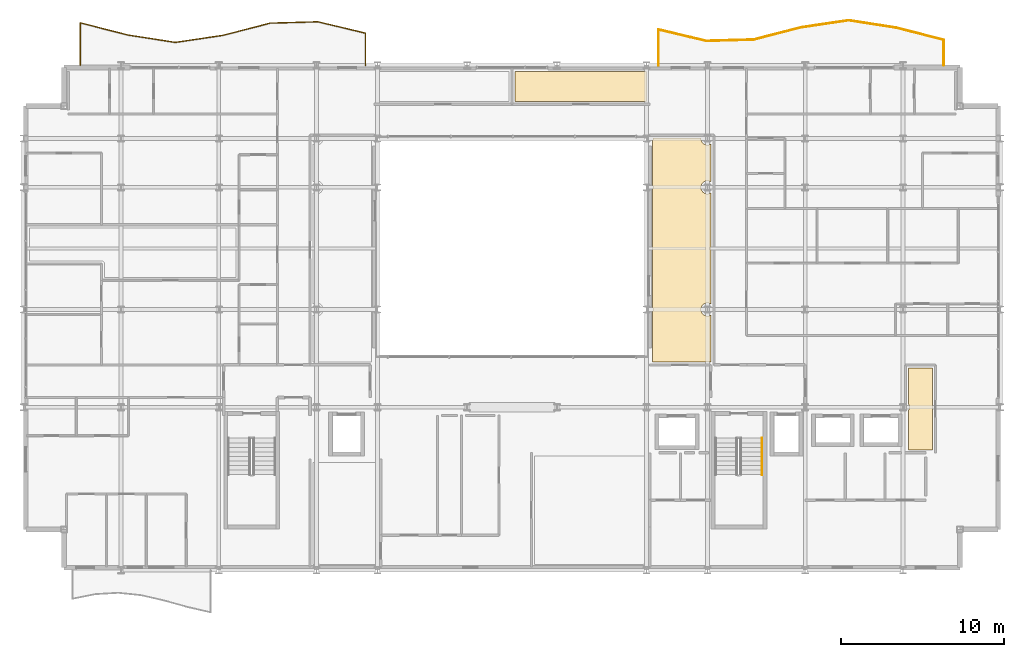
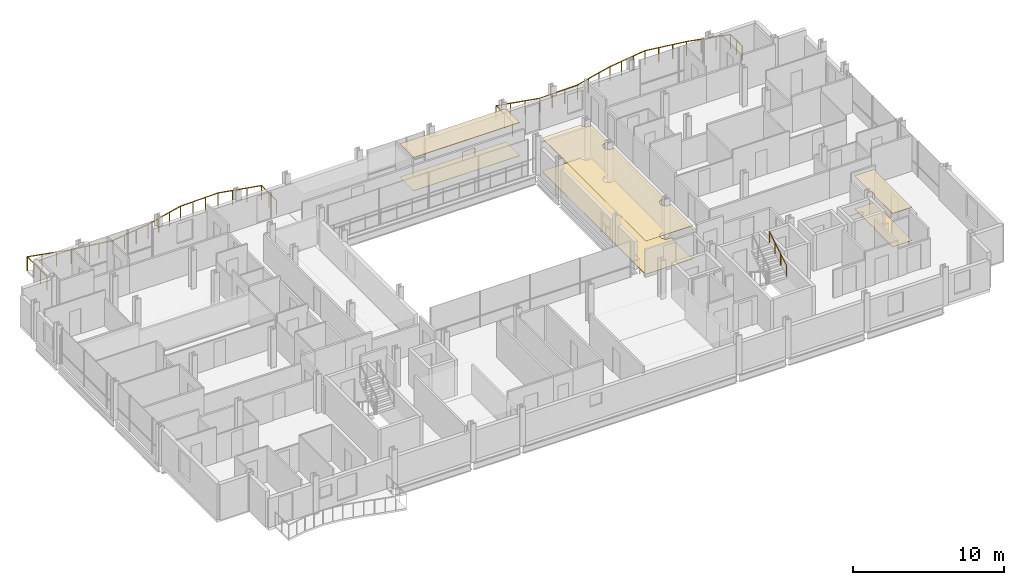
# One storey, part 41 of 41: 6 coverings, 3 railings.
"""IFC4 building model written with IfcOpenShell, lengths in metres."""

from ifc_helpers import new_model, si_unit, direction, frame, origin, origin_2d, place, context, subcontext, project, spatial, polyline, circle, outline, extrude, material, layer, layer_set, type_object, element, save


model = new_model("IFC4")

# Units and contexts
model_context = context("Model", 3, precision=1e-05, world=origin(), true_north=direction((0.0, 1.0)))
body_context = subcontext(model_context, "Body", "Model", "MODEL_VIEW")
ifc_project = project(units=[si_unit("LENGTHUNIT", "METRE"), si_unit("AREAUNIT", "SQUARE_METRE"), si_unit("VOLUMEUNIT", "CUBIC_METRE"), si_unit("PLANEANGLEUNIT", "RADIAN"), si_unit("MASSUNIT", "GRAM", prefix="KILO")], contexts=[model_context])

# Site, building, storey
site_placement = place(None, origin())
site = spatial("IfcSite", under=ifc_project, at=site_placement, CompositionType="ELEMENT")
building_placement = place(site_placement, origin())
building = spatial("IfcBuilding", under=site, at=building_placement, Name="Brevholm Reach", CompositionType="ELEMENT")
storey_placement = place(building_placement, frame((0.0, 0.0, 157.300048828125)))
storey = spatial("IfcBuildingStorey", under=building, at=storey_placement, Name="L47", CompositionType="ELEMENT", Elevation=157.300048828125)

# Coverings
ifc_material_1 = material(Name="Perforated Mineral-Fibre Class-A Acoustic Suspended Ceiling", Category="gypsum")
ifc_layer_1 = layer(ifc_material_1, 0.044921875)
ifc_layer_set_1 = layer_set([ifc_layer_1], Name="Perforated Mineral-Fibre Class-A Acoustic Suspended Ceiling")
covering_type_1 = type_object("IfcCoveringType", Name="COV-CLG-AC", PredefinedType="CEILING", material=ifc_layer_set_1)
covering_1_placement = place(storey_placement, frame((0.0, 0.0, 2.6650390625)))
element("IfcCovering", 1, at=covering_1_placement, inside=storey, type_object=covering_type_1, Name="L47 Suspended Ceiling L47-67", PredefinedType="CEILING", context=body_context, shape_type="SweptSolid", body=[
    extrude(outline(polyline([(32.626220703125, 30.6201171875), (32.6337890625, 30.6171875), (32.672119140625, 30.607666015625), (32.710693359375, 30.601806640625), (32.75, 30.60009765625), (32.789306640625, 30.601806640625), (32.827880859375, 30.607666015625), (32.8662109375, 30.6171875), (32.873779296875, 30.6201171875), (38.126220703125, 30.6201171875), (38.1337890625, 30.6171875), (38.172119140625, 30.607666015625), (38.210693359375, 30.601806640625), (38.25, 30.60009765625), (38.26611328125, 30.600830078125), (38.26611328125, 28.783935546875), (30.18408203125, 28.783935546875), (30.18408203125, 30.6201171875), (32.626220703125, 30.6201171875)])), origin(), (0.0, 0.0, 1.0), 0.044921875),
])
ifc_material_2 = material(Name="Moisture-Resistant Skimmed Gypsum Plasterboard Ceiling", Category="gypsum")
ifc_layer_2 = layer(ifc_material_2, 0.030029296875)
ifc_layer_set_2 = layer_set([ifc_layer_2], Name="Moisture-Resistant Skimmed Gypsum Plasterboard Ceiling")
covering_type_2 = type_object("IfcCoveringType", Name="COV-CLG-GYP", PredefinedType="CEILING", material=ifc_layer_set_2)
covering_2_placement = place(storey_placement, frame((0.0, 0.0, 2.679931640625)))
element("IfcCovering", 2, at=covering_2_placement, inside=storey, type_object=covering_type_2, Name="L47 Suspended Ceiling L47-28", PredefinedType="CEILING", context=body_context, shape_type="SweptSolid", body=[
    extrude(outline(polyline([(54.330078125, 9.7626953125), (54.33056640625, 9.764892578125), (54.33251953125, 9.777587890625), (54.33251953125, 9.77783203125), (54.352783203125, 9.811279296875), (54.36962890625, 9.846923828125), (54.3828125, 9.8837890625), (54.392333984375, 9.922119140625), (54.398193359375, 9.960693359375), (54.39990234375, 10.0), (54.398193359375, 10.039306640625), (54.392333984375, 10.077880859375), (54.3828125, 10.1162109375), (54.36962890625, 10.153076171875), (54.352783203125, 10.188720703125), (54.333984375, 10.219970703125), (54.333984375, 12.419921875), (55.81591796875, 12.419921875), (55.81591796875, 7.3798828125), (55.437255859375, 7.3798828125), (55.43505859375, 7.380615234375), (55.41748046875, 7.383056640625), (55.39990234375, 7.384033203125), (54.330078125, 7.384033203125), (54.330078125, 9.7626953125)])), origin(), (0.0, 0.0, 1.0), 0.030029296875),
])
covering_3_placement = place(storey_placement, frame((0.0, 0.0, 2.679931640625)))
element("IfcCovering", 3, at=covering_3_placement, inside=storey, type_object=covering_type_2, Name="L47 Suspended Ceiling L47-62", PredefinedType="CEILING", context=body_context, shape_type="SweptSolid", body=[
    extrude(outline(polyline([(38.6298828125, 15.876220703125), (38.6328125, 15.8837890625), (38.642333984375, 15.922119140625), (38.648193359375, 15.960693359375), (38.64990234375, 16.0), (38.648193359375, 16.039306640625), (38.642333984375, 16.077880859375), (38.6328125, 16.1162109375), (38.6298828125, 16.123779296875), (38.6298828125, 23.376220703125), (38.6328125, 23.3837890625), (38.642333984375, 23.422119140625), (38.648193359375, 23.460693359375), (38.64990234375, 23.5), (38.648193359375, 23.539306640625), (38.642333984375, 23.577880859375), (38.6328125, 23.6162109375), (38.6298828125, 23.623779296875), (38.6298828125, 26.376220703125), (38.6328125, 26.3837890625), (38.642333984375, 26.422119140625), (38.648193359375, 26.460693359375), (38.64990234375, 26.5), (38.649169921875, 26.51611328125), (41.600830078125, 26.51611328125), (41.60009765625, 26.5), (41.601806640625, 26.460693359375), (41.607666015625, 26.422119140625), (41.6171875, 26.3837890625), (41.63037109375, 26.346923828125), (41.647216796875, 26.311279296875), (41.66748046875, 26.27783203125), (41.69091796875, 26.24609375), (41.71728515625, 26.21728515625), (41.74609375, 26.19091796875), (41.77783203125, 26.16748046875), (41.811279296875, 26.147216796875), (41.846923828125, 26.13037109375), (41.8837890625, 26.1171875), (41.922119140625, 26.107666015625), (41.960693359375, 26.101806640625), (42.0, 26.10009765625), (42.039306640625, 26.101806640625), (42.077880859375, 26.107666015625), (42.1162109375, 26.1171875), (42.153076171875, 26.13037109375), (42.188720703125, 26.147216796875), (42.216064453125, 26.163818359375), (42.216064453125, 23.836181640625), (42.188720703125, 23.852783203125), (42.153076171875, 23.86962890625), (42.1162109375, 23.8828125), (42.077880859375, 23.892333984375), (42.039306640625, 23.898193359375), (42.0, 23.89990234375), (41.960693359375, 23.898193359375), (41.922119140625, 23.892333984375), (41.8837890625, 23.8828125), (41.846923828125, 23.86962890625), (41.811279296875, 23.852783203125), (41.77783203125, 23.83251953125), (41.74609375, 23.80908203125), (41.71728515625, 23.78271484375), (41.69091796875, 23.75390625), (41.66748046875, 23.72216796875), (41.647216796875, 23.688720703125), (41.63037109375, 23.653076171875), (41.6171875, 23.6162109375), (41.607666015625, 23.577880859375), (41.601806640625, 23.539306640625), (41.60009765625, 23.5), (41.601806640625, 23.460693359375), (41.607666015625, 23.422119140625), (41.6171875, 23.3837890625), (41.63037109375, 23.346923828125), (41.647216796875, 23.311279296875), (41.66748046875, 23.27783203125), (41.69091796875, 23.24609375), (41.71728515625, 23.21728515625), (41.74609375, 23.19091796875), (41.77783203125, 23.16748046875), (41.811279296875, 23.147216796875), (41.846923828125, 23.13037109375), (41.8837890625, 23.1171875), (41.922119140625, 23.107666015625), (41.960693359375, 23.101806640625), (42.0, 23.10009765625), (42.039306640625, 23.101806640625), (42.077880859375, 23.107666015625), (42.1162109375, 23.1171875), (42.153076171875, 23.13037109375), (42.188720703125, 23.147216796875), (42.216064453125, 23.163818359375), (42.216064453125, 16.336181640625), (42.188720703125, 16.352783203125), (42.153076171875, 16.36962890625), (42.1162109375, 16.3828125), (42.077880859375, 16.392333984375), (42.039306640625, 16.398193359375), (42.0, 16.39990234375), (41.960693359375, 16.398193359375), (41.922119140625, 16.392333984375), (41.8837890625, 16.3828125), (41.846923828125, 16.36962890625), (41.811279296875, 16.352783203125), (41.77783203125, 16.33251953125), (41.74609375, 16.30908203125), (41.71728515625, 16.28271484375), (41.69091796875, 16.25390625), (41.66748046875, 16.22216796875), (41.647216796875, 16.188720703125), (41.63037109375, 16.153076171875), (41.6171875, 16.1162109375), (41.607666015625, 16.077880859375), (41.601806640625, 16.039306640625), (41.60009765625, 16.0), (41.601806640625, 15.960693359375), (41.607666015625, 15.922119140625), (41.6171875, 15.8837890625), (41.63037109375, 15.846923828125), (41.647216796875, 15.811279296875), (41.66748046875, 15.77783203125), (41.69091796875, 15.74609375), (41.71728515625, 15.71728515625), (41.74609375, 15.69091796875), (41.77783203125, 15.66748046875), (41.811279296875, 15.647216796875), (41.846923828125, 15.63037109375), (41.8837890625, 15.6171875), (41.922119140625, 15.607666015625), (41.960693359375, 15.601806640625), (42.0, 15.60009765625), (42.039306640625, 15.601806640625), (42.077880859375, 15.607666015625), (42.1162109375, 15.6171875), (42.153076171875, 15.63037109375), (42.188720703125, 15.647216796875), (42.216064453125, 15.663818359375), (42.216064453125, 12.783935546875), (38.6298828125, 12.783935546875), (38.6298828125, 15.876220703125)])), origin(), (0.0, 0.0, 1.0), 0.030029296875),
])
ifc_material_3 = material(Name="Engineered European Oak Acoustic Plank Flooring", Category="timber")
ifc_layer_3 = layer(ifc_material_3, 0.02197265625)
ifc_layer_set_3 = layer_set([ifc_layer_3], Name="Engineered European Oak Acoustic Plank Flooring")
covering_type_3 = type_object("IfcCoveringType", Name="COV-FLR-OAK", PredefinedType="FLOORING", material=ifc_layer_set_3)
covering_4_placement = place(storey_placement, origin())
element("IfcCovering", 4, at=covering_4_placement, inside=storey, type_object=covering_type_3, Name="L47 Floor Finish L47-67", PredefinedType="FLOORING", context=body_context, shape_type="SweptSolid", body=[
    extrude(outline(polyline([(32.626220703125, 30.6201171875), (32.6337890625, 30.6171875), (32.672119140625, 30.607666015625), (32.710693359375, 30.601806640625), (32.75, 30.60009765625), (32.789306640625, 30.601806640625), (32.827880859375, 30.607666015625), (32.8662109375, 30.6171875), (32.873779296875, 30.6201171875), (38.126220703125, 30.6201171875), (38.1337890625, 30.6171875), (38.172119140625, 30.607666015625), (38.210693359375, 30.601806640625), (38.25, 30.60009765625), (38.26611328125, 30.600830078125), (38.26611328125, 28.783935546875), (30.18408203125, 28.783935546875), (30.18408203125, 30.6201171875), (32.626220703125, 30.6201171875)])), origin(), (0.0, 0.0, 1.0), 0.02197265625),
])
ifc_material_4 = material(Name="Honed Portland-Aggregate Resin Terrazzo Flooring", Category="concrete")
ifc_layer_4 = layer(ifc_material_4, 0.031982421875)
ifc_layer_set_4 = layer_set([ifc_layer_4], Name="Honed Portland-Aggregate Resin Terrazzo Flooring")
covering_type_4 = type_object("IfcCoveringType", Name="COV-FLR-TRZ", PredefinedType="FLOORING", material=ifc_layer_set_4)
covering_5_placement = place(storey_placement, origin())
element("IfcCovering", 5, at=covering_5_placement, inside=storey, type_object=covering_type_4, Name="L47 Floor Finish L47-28", PredefinedType="FLOORING", context=body_context, shape_type="SweptSolid", body=[
    extrude(outline(polyline([(54.330078125, 9.7626953125), (54.33056640625, 9.764892578125), (54.33251953125, 9.777587890625), (54.33251953125, 9.77783203125), (54.352783203125, 9.811279296875), (54.36962890625, 9.846923828125), (54.3828125, 9.8837890625), (54.392333984375, 9.922119140625), (54.398193359375, 9.960693359375), (54.39990234375, 10.0), (54.398193359375, 10.039306640625), (54.392333984375, 10.077880859375), (54.3828125, 10.1162109375), (54.36962890625, 10.153076171875), (54.352783203125, 10.188720703125), (54.333984375, 10.219970703125), (54.333984375, 12.419921875), (55.81591796875, 12.419921875), (55.81591796875, 7.3798828125), (55.437255859375, 7.3798828125), (55.43505859375, 7.380615234375), (55.41748046875, 7.383056640625), (55.39990234375, 7.384033203125), (54.330078125, 7.384033203125), (54.330078125, 9.7626953125)])), origin(), (0.0, 0.0, 1.0), 0.031982421875),
])
covering_6_placement = place(storey_placement, origin())
element("IfcCovering", 6, at=covering_6_placement, inside=storey, type_object=covering_type_4, Name="L47 Floor Finish L47-62", PredefinedType="FLOORING", context=body_context, shape_type="SweptSolid", body=[
    extrude(outline(polyline([(38.6298828125, 15.876220703125), (38.6328125, 15.8837890625), (38.642333984375, 15.922119140625), (38.648193359375, 15.960693359375), (38.64990234375, 16.0), (38.648193359375, 16.039306640625), (38.642333984375, 16.077880859375), (38.6328125, 16.1162109375), (38.6298828125, 16.123779296875), (38.6298828125, 23.376220703125), (38.6328125, 23.3837890625), (38.642333984375, 23.422119140625), (38.648193359375, 23.460693359375), (38.64990234375, 23.5), (38.648193359375, 23.539306640625), (38.642333984375, 23.577880859375), (38.6328125, 23.6162109375), (38.6298828125, 23.623779296875), (38.6298828125, 26.376220703125), (38.6328125, 26.3837890625), (38.642333984375, 26.422119140625), (38.648193359375, 26.460693359375), (38.64990234375, 26.5), (38.649169921875, 26.51611328125), (41.600830078125, 26.51611328125), (41.60009765625, 26.5), (41.601806640625, 26.460693359375), (41.607666015625, 26.422119140625), (41.6171875, 26.3837890625), (41.63037109375, 26.346923828125), (41.647216796875, 26.311279296875), (41.66748046875, 26.27783203125), (41.69091796875, 26.24609375), (41.71728515625, 26.21728515625), (41.74609375, 26.19091796875), (41.77783203125, 26.16748046875), (41.811279296875, 26.147216796875), (41.846923828125, 26.13037109375), (41.8837890625, 26.1171875), (41.922119140625, 26.107666015625), (41.960693359375, 26.101806640625), (42.0, 26.10009765625), (42.039306640625, 26.101806640625), (42.077880859375, 26.107666015625), (42.1162109375, 26.1171875), (42.153076171875, 26.13037109375), (42.188720703125, 26.147216796875), (42.216064453125, 26.163818359375), (42.216064453125, 23.836181640625), (42.188720703125, 23.852783203125), (42.153076171875, 23.86962890625), (42.1162109375, 23.8828125), (42.077880859375, 23.892333984375), (42.039306640625, 23.898193359375), (42.0, 23.89990234375), (41.960693359375, 23.898193359375), (41.922119140625, 23.892333984375), (41.8837890625, 23.8828125), (41.846923828125, 23.86962890625), (41.811279296875, 23.852783203125), (41.77783203125, 23.83251953125), (41.74609375, 23.80908203125), (41.71728515625, 23.78271484375), (41.69091796875, 23.75390625), (41.66748046875, 23.72216796875), (41.647216796875, 23.688720703125), (41.63037109375, 23.653076171875), (41.6171875, 23.6162109375), (41.607666015625, 23.577880859375), (41.601806640625, 23.539306640625), (41.60009765625, 23.5), (41.601806640625, 23.460693359375), (41.607666015625, 23.422119140625), (41.6171875, 23.3837890625), (41.63037109375, 23.346923828125), (41.647216796875, 23.311279296875), (41.66748046875, 23.27783203125), (41.69091796875, 23.24609375), (41.71728515625, 23.21728515625), (41.74609375, 23.19091796875), (41.77783203125, 23.16748046875), (41.811279296875, 23.147216796875), (41.846923828125, 23.13037109375), (41.8837890625, 23.1171875), (41.922119140625, 23.107666015625), (41.960693359375, 23.101806640625), (42.0, 23.10009765625), (42.039306640625, 23.101806640625), (42.077880859375, 23.107666015625), (42.1162109375, 23.1171875), (42.153076171875, 23.13037109375), (42.188720703125, 23.147216796875), (42.216064453125, 23.163818359375), (42.216064453125, 16.336181640625), (42.188720703125, 16.352783203125), (42.153076171875, 16.36962890625), (42.1162109375, 16.3828125), (42.077880859375, 16.392333984375), (42.039306640625, 16.398193359375), (42.0, 16.39990234375), (41.960693359375, 16.398193359375), (41.922119140625, 16.392333984375), (41.8837890625, 16.3828125), (41.846923828125, 16.36962890625), (41.811279296875, 16.352783203125), (41.77783203125, 16.33251953125), (41.74609375, 16.30908203125), (41.71728515625, 16.28271484375), (41.69091796875, 16.25390625), (41.66748046875, 16.22216796875), (41.647216796875, 16.188720703125), (41.63037109375, 16.153076171875), (41.6171875, 16.1162109375), (41.607666015625, 16.077880859375), (41.601806640625, 16.039306640625), (41.60009765625, 16.0), (41.601806640625, 15.960693359375), (41.607666015625, 15.922119140625), (41.6171875, 15.8837890625), (41.63037109375, 15.846923828125), (41.647216796875, 15.811279296875), (41.66748046875, 15.77783203125), (41.69091796875, 15.74609375), (41.71728515625, 15.71728515625), (41.74609375, 15.69091796875), (41.77783203125, 15.66748046875), (41.811279296875, 15.647216796875), (41.846923828125, 15.63037109375), (41.8837890625, 15.6171875), (41.922119140625, 15.607666015625), (41.960693359375, 15.601806640625), (42.0, 15.60009765625), (42.039306640625, 15.601806640625), (42.077880859375, 15.607666015625), (42.1162109375, 15.6171875), (42.153076171875, 15.63037109375), (42.188720703125, 15.647216796875), (42.216064453125, 15.663818359375), (42.216064453125, 12.783935546875), (38.6298828125, 12.783935546875), (38.6298828125, 15.876220703125)])), origin(), (0.0, 0.0, 1.0), 0.031982421875),
])

# Railings
ifc_material_5 = material(Name="Brushed Stainless Steel EN 1.4401 and Laminated Glass", Category="steel")
railing_type_1 = type_object("IfcRailingType", Name="RAL-BALC-1150", PredefinedType="BALUSTRADE", material=ifc_material_5)
railing_1_placement = place(storey_placement, frame((56.5, 31.0, 0.0)))
element("IfcRailing", 7, at=railing_1_placement, inside=storey, type_object=railing_type_1, Name="L47 Guard Balustrade RAL-L47-BAL-NE", PredefinedType="BALUSTRADE", context=body_context, shape_type="SweptSolid", body=[
    extrude(circle(Radius=0.02392578125, at=origin_2d()), frame((0.0, 0.0, 1.1259765625), z_axis=(0.0, 1.0, 0.0), x_axis=(-1.0, 0.0, 0.0)), (0.0, 0.0, 1.0), 1.55029296875),
    extrude(circle(Radius=0.02392578125, at=origin_2d()), frame((0.0, 1.55029296875, 1.1259765625), z_axis=(-0.968923500885, 0.24736056564, 0.0), x_axis=(-0.24736056564, -0.968923500885, 0.0)), (0.0, 0.0, 1.0), 3.01025390625),
    extrude(circle(Radius=0.02392578125, at=origin_2d()), frame((-2.916748046875, 2.294921875, 1.1259765625), z_axis=(-0.988044338858, 0.154169985571, 0.0), x_axis=(-0.154169985571, -0.988044338858, 0.0)), (0.0, 0.0, 1.0), 2.951904296875),
    extrude(circle(Radius=0.02392578125, at=origin_2d()), frame((-5.833251953125, 2.75, 1.1259765625), z_axis=(-0.989154508095, -0.146878722471, 0.0), x_axis=(0.146878722471, -0.989154508095, 0.0)), (0.0, 0.0, 1.0), 2.94873046875),
    extrude(circle(Radius=0.02392578125, at=origin_2d()), frame((-8.75, 2.31689453125, 1.1259765625), z_axis=(-0.968396782901, -0.249414656482, 0.0), x_axis=(0.249414656482, -0.968396782901, 0.0)), (0.0, 0.0, 1.0), 3.011962890625),
    extrude(circle(Radius=0.02392578125, at=origin_2d()), frame((-11.666748046875, 1.565673828125, 1.1259765625), z_axis=(-0.999614033457, -0.027781002771, 0.0), x_axis=(0.027781002771, -0.999614033457, 0.0)), (0.0, 0.0, 1.0), 2.917724609375),
    extrude(circle(Radius=0.02392578125, at=origin_2d()), frame((-14.583251953125, 1.484619140625, 1.1259765625), z_axis=(-0.972687280988, 0.232119480882, 0.0), x_axis=(-0.232119480882, -0.972687280988, 0.0)), (0.0, 0.0, 1.0), 2.99853515625),
    extrude(circle(Radius=0.02392578125, at=origin_2d()), frame((-17.5, 2.1806640625, 1.1259765625), z_axis=(0.0, -1.0, 0.0), x_axis=(1.0, 0.0, 0.0)), (0.0, 0.0, 1.0), 2.1806640625),
    extrude(circle(Radius=0.02099609375, at=origin_2d()), origin(), (0.0, 0.0, 1.0), 1.101806640625),
    extrude(circle(Radius=0.02099609375, at=origin_2d()), frame((0.0, 0.775146484375, 0.0)), (0.0, 0.0, 1.0), 1.101806640625),
    extrude(circle(Radius=0.02099609375, at=origin_2d()), frame((0.0, 1.55029296875, 0.0)), (0.0, 0.0, 1.0), 1.101806640625),
    extrude(circle(Radius=0.02099609375, at=origin_2d()), frame((-0.97216796875, 1.798583984375, 0.0)), (0.0, 0.0, 1.0), 1.101806640625),
    extrude(circle(Radius=0.02099609375, at=origin_2d()), frame((-1.944580078125, 2.046630859375, 0.0)), (0.0, 0.0, 1.0), 1.101806640625),
    extrude(circle(Radius=0.02099609375, at=origin_2d()), frame((-2.916748046875, 2.294921875, 0.0)), (0.0, 0.0, 1.0), 1.101806640625),
    extrude(circle(Radius=0.02099609375, at=origin_2d()), frame((-3.888916015625, 2.446533203125, 0.0)), (0.0, 0.0, 1.0), 1.101806640625),
    extrude(circle(Radius=0.02099609375, at=origin_2d()), frame((-4.861083984375, 2.598388671875, 0.0)), (0.0, 0.0, 1.0), 1.101806640625),
    extrude(circle(Radius=0.02099609375, at=origin_2d()), frame((-5.833251953125, 2.75, 0.0)), (0.0, 0.0, 1.0), 1.101806640625),
    extrude(circle(Radius=0.02099609375, at=origin_2d()), frame((-6.805419921875, 2.605712890625, 0.0)), (0.0, 0.0, 1.0), 1.101806640625),
    extrude(circle(Radius=0.02099609375, at=origin_2d()), frame((-7.77783203125, 2.461181640625, 0.0)), (0.0, 0.0, 1.0), 1.101806640625),
    extrude(circle(Radius=0.02099609375, at=origin_2d()), frame((-8.75, 2.31689453125, 0.0)), (0.0, 0.0, 1.0), 1.101806640625),
    extrude(circle(Radius=0.02099609375, at=origin_2d()), frame((-9.72216796875, 2.06640625, 0.0)), (0.0, 0.0, 1.0), 1.101806640625),
    extrude(circle(Radius=0.02099609375, at=origin_2d()), frame((-10.694580078125, 1.816162109375, 0.0)), (0.0, 0.0, 1.0), 1.101806640625),
    extrude(circle(Radius=0.02099609375, at=origin_2d()), frame((-11.666748046875, 1.565673828125, 0.0)), (0.0, 0.0, 1.0), 1.101806640625),
    extrude(circle(Radius=0.02099609375, at=origin_2d()), frame((-12.638916015625, 1.53857421875, 0.0)), (0.0, 0.0, 1.0), 1.101806640625),
    extrude(circle(Radius=0.02099609375, at=origin_2d()), frame((-13.611083984375, 1.51171875, 0.0)), (0.0, 0.0, 1.0), 1.101806640625),
    extrude(circle(Radius=0.02099609375, at=origin_2d()), frame((-14.583251953125, 1.484619140625, 0.0)), (0.0, 0.0, 1.0), 1.101806640625),
    extrude(circle(Radius=0.02099609375, at=origin_2d()), frame((-15.555419921875, 1.716552734375, 0.0)), (0.0, 0.0, 1.0), 1.101806640625),
    extrude(circle(Radius=0.02099609375, at=origin_2d()), frame((-16.52783203125, 1.94873046875, 0.0)), (0.0, 0.0, 1.0), 1.101806640625),
    extrude(circle(Radius=0.02099609375, at=origin_2d()), frame((-17.5, 2.1806640625, 0.0)), (0.0, 0.0, 1.0), 1.101806640625),
    extrude(circle(Radius=0.02099609375, at=origin_2d()), frame((-17.5, 1.09033203125, 0.0)), (0.0, 0.0, 1.0), 1.101806640625),
    extrude(circle(Radius=0.02099609375, at=origin_2d()), frame((-17.5, 0.0, 0.0)), (0.0, 0.0, 1.0), 1.101806640625),
])
railing_2_placement = place(storey_placement, frame((21.0, 31.0, 0.0)))
element("IfcRailing", 8, at=railing_2_placement, inside=storey, type_object=railing_type_1, Name="L47 Guard Balustrade RAL-L47-BAL-NW", PredefinedType="BALUSTRADE", context=body_context, shape_type="SweptSolid", body=[
    extrude(circle(Radius=0.02392578125, at=origin_2d()), frame((0.0, 0.0, 1.1259765625), z_axis=(0.0, 1.0, 0.0), x_axis=(-1.0, 0.0, 0.0)), (0.0, 0.0, 1.0), 1.969482421875),
    extrude(circle(Radius=0.02392578125, at=origin_2d()), frame((0.0, 1.969482421875, 1.1259765625), z_axis=(-0.972705660557, 0.23204244853, 0.0), x_axis=(-0.23204244853, -0.972705660557, 0.0)), (0.0, 0.0, 1.0), 2.99853515625),
    extrude(circle(Radius=0.02392578125, at=origin_2d()), frame((-2.916748046875, 2.665283203125, 1.1259765625), z_axis=(-0.99961635372, -0.027697389342, 0.0), x_axis=(0.027697389342, -0.99961635372, 0.0)), (0.0, 0.0, 1.0), 2.917724609375),
    extrude(circle(Radius=0.02392578125, at=origin_2d()), frame((-5.833251953125, 2.58447265625, 1.1259765625), z_axis=(-0.968377202247, -0.2494906695, 0.0), x_axis=(0.2494906695, -0.968377202247, 0.0)), (0.0, 0.0, 1.0), 3.011962890625),
    extrude(circle(Radius=0.02392578125, at=origin_2d()), frame((-8.75, 1.8330078125, 1.1259765625), z_axis=(-0.98916653389, -0.146797711943, 0.0), x_axis=(0.146797711943, -0.98916653389, 0.0)), (0.0, 0.0, 1.0), 2.94873046875),
    extrude(circle(Radius=0.02392578125, at=origin_2d()), frame((-11.666748046875, 1.400146484375, 1.1259765625), z_axis=(-0.988044338858, 0.154169985571, 0.0), x_axis=(-0.154169985571, -0.988044338858, 0.0)), (0.0, 0.0, 1.0), 2.951904296875),
    extrude(circle(Radius=0.02392578125, at=origin_2d()), frame((-14.583251953125, 1.855224609375, 1.1259765625), z_axis=(-0.968942936238, 0.247284423921, 0.0), x_axis=(-0.247284423921, -0.968942936238, 0.0)), (0.0, 0.0, 1.0), 3.01025390625),
    extrude(circle(Radius=0.02392578125, at=origin_2d()), frame((-17.5, 2.599609375, 1.1259765625), z_axis=(0.0, -1.0, 0.0), x_axis=(1.0, 0.0, 0.0)), (0.0, 0.0, 1.0), 2.599609375),
    extrude(circle(Radius=0.02099609375, at=origin_2d()), origin(), (0.0, 0.0, 1.0), 1.101806640625),
    extrude(circle(Radius=0.02099609375, at=origin_2d()), frame((0.0, 0.98486328125, 0.0)), (0.0, 0.0, 1.0), 1.101806640625),
    extrude(circle(Radius=0.02099609375, at=origin_2d()), frame((0.0, 1.969482421875, 0.0)), (0.0, 0.0, 1.0), 1.101806640625),
    extrude(circle(Radius=0.02099609375, at=origin_2d()), frame((-0.97216796875, 2.201416015625, 0.0)), (0.0, 0.0, 1.0), 1.101806640625),
    extrude(circle(Radius=0.02099609375, at=origin_2d()), frame((-1.944580078125, 2.433349609375, 0.0)), (0.0, 0.0, 1.0), 1.101806640625),
    extrude(circle(Radius=0.02099609375, at=origin_2d()), frame((-2.916748046875, 2.665283203125, 0.0)), (0.0, 0.0, 1.0), 1.101806640625),
    extrude(circle(Radius=0.02099609375, at=origin_2d()), frame((-3.888916015625, 2.638427734375, 0.0)), (0.0, 0.0, 1.0), 1.101806640625),
    extrude(circle(Radius=0.02099609375, at=origin_2d()), frame((-4.861083984375, 2.611328125, 0.0)), (0.0, 0.0, 1.0), 1.101806640625),
    extrude(circle(Radius=0.02099609375, at=origin_2d()), frame((-5.833251953125, 2.58447265625, 0.0)), (0.0, 0.0, 1.0), 1.101806640625),
    extrude(circle(Radius=0.02099609375, at=origin_2d()), frame((-6.805419921875, 2.333984375, 0.0)), (0.0, 0.0, 1.0), 1.101806640625),
    extrude(circle(Radius=0.02099609375, at=origin_2d()), frame((-7.77783203125, 2.08349609375, 0.0)), (0.0, 0.0, 1.0), 1.101806640625),
    extrude(circle(Radius=0.02099609375, at=origin_2d()), frame((-8.75, 1.8330078125, 0.0)), (0.0, 0.0, 1.0), 1.101806640625),
    extrude(circle(Radius=0.02099609375, at=origin_2d()), frame((-9.72216796875, 1.688720703125, 0.0)), (0.0, 0.0, 1.0), 1.101806640625),
    extrude(circle(Radius=0.02099609375, at=origin_2d()), frame((-10.694580078125, 1.54443359375, 0.0)), (0.0, 0.0, 1.0), 1.101806640625),
    extrude(circle(Radius=0.02099609375, at=origin_2d()), frame((-11.666748046875, 1.400146484375, 0.0)), (0.0, 0.0, 1.0), 1.101806640625),
    extrude(circle(Radius=0.02099609375, at=origin_2d()), frame((-12.638916015625, 1.5517578125, 0.0)), (0.0, 0.0, 1.0), 1.101806640625),
    extrude(circle(Radius=0.02099609375, at=origin_2d()), frame((-13.611083984375, 1.70361328125, 0.0)), (0.0, 0.0, 1.0), 1.101806640625),
    extrude(circle(Radius=0.02099609375, at=origin_2d()), frame((-14.583251953125, 1.855224609375, 0.0)), (0.0, 0.0, 1.0), 1.101806640625),
    extrude(circle(Radius=0.02099609375, at=origin_2d()), frame((-15.555419921875, 2.103271484375, 0.0)), (0.0, 0.0, 1.0), 1.101806640625),
    extrude(circle(Radius=0.02099609375, at=origin_2d()), frame((-16.52783203125, 2.3515625, 0.0)), (0.0, 0.0, 1.0), 1.101806640625),
    extrude(circle(Radius=0.02099609375, at=origin_2d()), frame((-17.5, 2.599609375, 0.0)), (0.0, 0.0, 1.0), 1.101806640625),
    extrude(circle(Radius=0.02099609375, at=origin_2d()), frame((-17.5, 1.733154296875, 0.0)), (0.0, 0.0, 1.0), 1.101806640625),
    extrude(circle(Radius=0.02099609375, at=origin_2d()), frame((-17.5, 0.866455078125, 0.0)), (0.0, 0.0, 1.0), 1.101806640625),
    extrude(circle(Radius=0.02099609375, at=origin_2d()), frame((-17.5, 0.0, 0.0)), (0.0, 0.0, 1.0), 1.101806640625),
])
ifc_material_6 = material(Name="Brushed Stainless Steel EN 1.4401 Continuous Handrail", Category="steel")
railing_type_2 = type_object("IfcRailingType", Name="RAL-HND-950", PredefinedType="HANDRAIL", material=ifc_material_6)
railing_3_placement = place(storey_placement, frame((45.35009765625, 5.860107421875, 1.72216796875)))
element("IfcRailing", 9, at=railing_3_placement, inside=storey, type_object=railing_type_2, Name="L47 ST-2 stair handrail 2", PredefinedType="HANDRAIL", context=body_context, shape_type="SweptSolid", body=[
    extrude(circle(Radius=0.02392578125, at=origin_2d()), frame((0.0, 0.0, 0.8857421875), z_axis=(0.0, 0.85178898068, 0.523885037382), x_axis=(-1.0, 0.0, 0.0)), (0.0, 0.0, 1.0), 2.629638671875),
    extrude(circle(Radius=0.02099609375, at=origin_2d()), origin(), (0.0, 0.0, 1.0), 0.86181640625),
    extrude(circle(Radius=0.02099609375, at=origin_2d()), frame((0.0, 0.74658203125, 0.459228515625)), (0.0, 0.0, 1.0), 0.86181640625),
    extrude(circle(Radius=0.02099609375, at=origin_2d()), frame((0.0, 1.493408203125, 0.91845703125)), (0.0, 0.0, 1.0), 0.86181640625),
    extrude(circle(Radius=0.02099609375, at=origin_2d()), frame((0.0, 2.239990234375, 1.377685546875)), (0.0, 0.0, 1.0), 0.86181640625),
])

save(model, "model.ifc")
